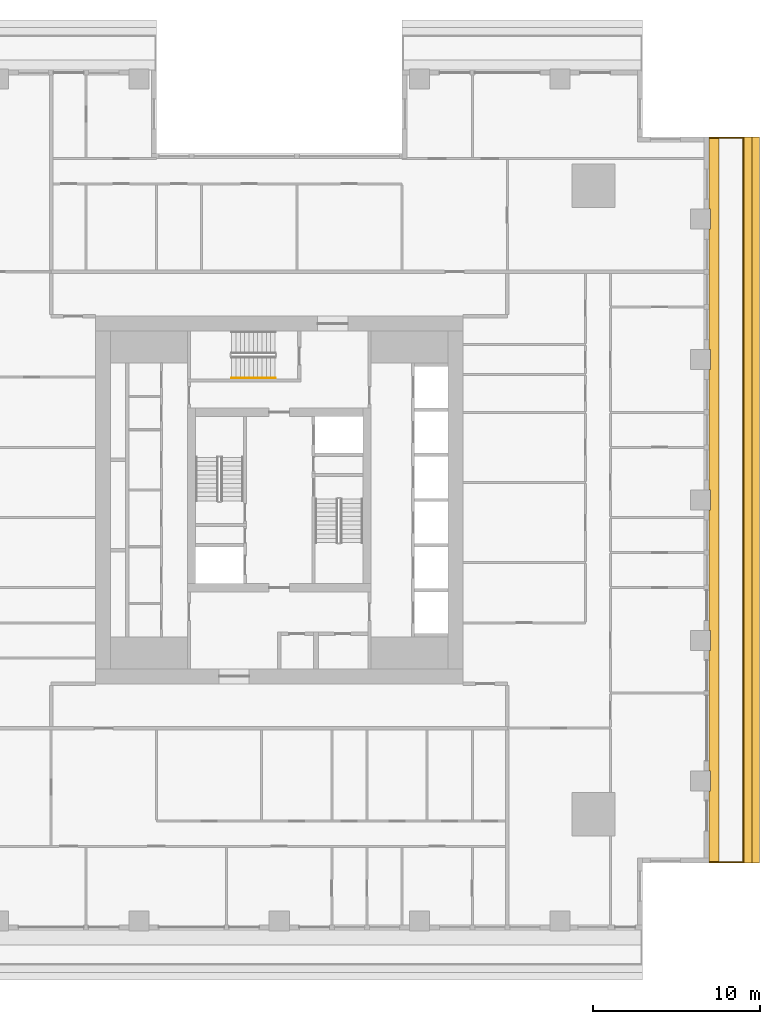
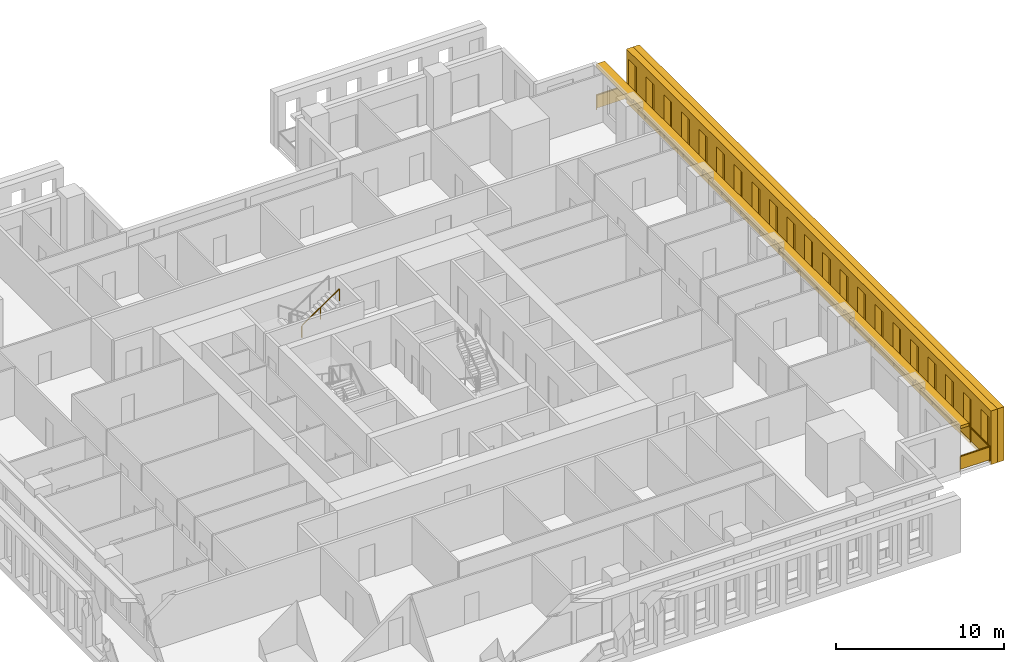
# One storey, part 14 of 16: 3 shading devices, 2 railings.
"""IFC4 building model written with IfcOpenShell, lengths in metres."""

import ifcopenshell
import ifcopenshell.guid

model = None  # the IFC model being written
_history = None  # IfcOwnerHistory: only IFC2X3 demands one
_inside = {}  # id of a spatial element -> (the spatial element, [elements in it])
_under = {}  # id of a project, library or spatial element -> (it, [spatial elements below it])
_declared = {}  # id of a project -> (the project, [libraries it declares])
_typed = {}  # id of a type object -> (the type object, [elements of that type])
_made_of = {}  # id of a material, layer set ... -> (it, [elements and type objects made of it])


def new_model(schema):
    """Start an empty IFC model of exactly this schema.

    Asked for "IFC4X3", IfcOpenShell would pick the latest addendum, in which some entities
    have other attributes; the version numbers below select the first issue.
    IFC2X3 requires an IfcOwnerHistory on every rooted entity: one is made here for all.
    """
    global model, _history
    if schema == "IFC4X3":
        model = ifcopenshell.file(schema_version=(4, 3, 0, 0))
    else:
        model = ifcopenshell.file(schema=schema)
    _inside.clear()
    _under.clear()
    _declared.clear()
    _typed.clear()
    _made_of.clear()
    _history = None
    if model.schema == "IFC2X3":
        org = make("IfcOrganization", Name="unknown")
        user = make(
            "IfcPersonAndOrganization",
            ThePerson=make("IfcPerson", FamilyName="unknown"),
            TheOrganization=org,
        )
        app = make(
            "IfcApplication",
            ApplicationDeveloper=org,
            Version="unknown",
            ApplicationFullName="unknown",
            ApplicationIdentifier="unknown",
        )
        _history = make(
            "IfcOwnerHistory",
            OwningUser=user,
            OwningApplication=app,
            ChangeAction="ADDED",
            CreationDate=0,
        )
    return model


def make(cls, **values):
    """One entity of the class cls with the attributes given. An attribute that is None is left unset."""
    return model.create_entity(
        cls, **{name: value for name, value in values.items() if value is not None}
    )


def rooted(cls, **values):
    """An entity with a GlobalId (a new one), such as an element, a storey or a relation."""
    return make(cls, GlobalId=ifcopenshell.guid.new(), OwnerHistory=_history, **values)


def si_unit(unit_type, name, prefix=None):
    """IfcSIUnit, for example si_unit("LENGTHUNIT", "METRE", prefix="MILLI")."""
    return make("IfcSIUnit", UnitType=unit_type, Prefix=prefix, Name=name)


def assignment(units):
    """IfcUnitAssignment: the units of a project."""
    return None if units is None else make("IfcUnitAssignment", Units=units)


def point(xyz):
    """IfcCartesianPoint."""
    return None if xyz is None else make("IfcCartesianPoint", Coordinates=xyz)


def direction(xyz):
    """IfcDirection."""
    return None if xyz is None else make("IfcDirection", DirectionRatios=xyz)


def frame(location, z_axis=None, x_axis=None):
    """IfcAxis2Placement3D, a coordinate frame: its origin and axes. An axis left out is left unset."""
    return make(
        "IfcAxis2Placement3D",
        Location=point(location),
        Axis=direction(z_axis),
        RefDirection=direction(x_axis),
    )


def frame_2d(location, x_axis=None):
    """IfcAxis2Placement2D, a coordinate frame in the plane: its origin and x axis."""
    return make(
        "IfcAxis2Placement2D", Location=point(location), RefDirection=direction(x_axis)
    )


def origin():
    """The frame at (0, 0, 0) with its axes left unset."""
    return frame((0.0, 0.0, 0.0))


def origin_2d():
    """The frame at (0, 0) in the plane with its x axis left unset."""
    return frame_2d((0.0, 0.0))


def place(relative_to, where):
    """IfcLocalPlacement: puts the frame where relative to a parent placement (None: the world)."""
    return make(
        "IfcLocalPlacement", PlacementRelTo=relative_to, RelativePlacement=where
    )


def context(
    kind, dimensions, precision=None, world=None, true_north=None, identifier=None
):
    """IfcGeometricRepresentationContext, for example the 3D "Model" context."""
    return make(
        "IfcGeometricRepresentationContext",
        ContextIdentifier=identifier,
        ContextType=kind,
        CoordinateSpaceDimension=dimensions,
        Precision=precision,
        WorldCoordinateSystem=world,
        TrueNorth=true_north,
    )


def subcontext(parent, identifier, kind, view, scale=None):
    """IfcGeometricRepresentationSubContext, for example "Body" below "Model"."""
    return make(
        "IfcGeometricRepresentationSubContext",
        ContextIdentifier=identifier,
        ContextType=kind,
        ParentContext=parent,
        TargetScale=scale,
        TargetView=view,
    )


def project(units=None, contexts=None):
    """IfcProject with its units and contexts."""
    return rooted(
        "IfcProject",
        Name="project",
        RepresentationContexts=contexts,
        UnitsInContext=assignment(units),
    )


def spatial(cls, under=None, at=None, **own):
    """A site, building, storey or space (cls), placed at a placement, below another one or the project."""
    s = rooted(cls, ObjectPlacement=at, **own)
    if under is not None:
        _under.setdefault(under.id(), (under, []))[1].append(s)
    return s


def polyline(points):
    """IfcPolyline through the points."""
    return make("IfcPolyline", Points=[point(p) for p in points])


def profile(cls, at=None, kind="AREA", **sizes):
    """A parametric profile (cls). Its sizes go by their IFC names, for example OverallWidth=200.0."""
    return make(cls, ProfileType=kind, Position=at, **sizes)


def rectangle(**sizes):
    """IfcRectangleProfileDef."""
    return profile("IfcRectangleProfileDef", **sizes)


def outline(outer, holes=None, kind="AREA"):
    """IfcArbitraryClosedProfileDef: a profile drawn as a closed curve; with holes, ...WithVoids."""
    if holes is None:
        return make("IfcArbitraryClosedProfileDef", ProfileType=kind, OuterCurve=outer)
    return make(
        "IfcArbitraryProfileDefWithVoids",
        ProfileType=kind,
        OuterCurve=outer,
        InnerCurves=holes,
    )


def extrude(swept, where, along, depth):
    """IfcExtrudedAreaSolid: the profile swept, set in the frame where, extruded along a direction by depth."""
    return make(
        "IfcExtrudedAreaSolid",
        SweptArea=swept,
        Position=where,
        ExtrudedDirection=direction(along),
        Depth=depth,
    )


def shape(context_of_items, identifier, shape_type, items):
    """IfcShapeRepresentation: the items that make up one representation, for example the "Body"."""
    return make(
        "IfcShapeRepresentation",
        ContextOfItems=context_of_items,
        RepresentationIdentifier=identifier,
        RepresentationType=shape_type,
        Items=items,
    )


def material(Name=None, Category=None):
    """IfcMaterial."""
    return make("IfcMaterial", Name=Name, Category=Category)


def layer(
    of_material, thickness, ventilated=None, Name=None, Category=None, Priority=None
):
    """IfcMaterialLayer: one layer of a wall or slab, of a material (None: an air gap)."""
    return make(
        "IfcMaterialLayer",
        Material=of_material,
        LayerThickness=thickness,
        IsVentilated=ventilated,
        Name=Name,
        Category=Category,
        Priority=Priority,
    )


def layer_set(layers, Name=None):
    """IfcMaterialLayerSet."""
    return make("IfcMaterialLayerSet", MaterialLayers=layers, LayerSetName=Name)


def made_of(thing, what):
    """Note that an element or type object is made of a material, layer set ...; save() writes the relation."""
    if what is not None:
        _made_of.setdefault(what.id(), (what, []))[1].append(thing)
    return thing


def type_object(cls, material=None, **own):
    """A type object (cls), such as IfcWallType, which elements share."""
    return made_of(rooted(cls, **own), material)


def element(
    cls,
    number,
    at=None,
    inside=None,
    cuts=None,
    type_object=None,
    material=None,
    context=None,
    identifier="Body",
    shape_type=None,
    held_by="IfcProductDefinitionShape",
    body=None,
    shapes=None,
    **own,
):
    """One element of the class cls, such as IfcWall. Its Tag is "e" and its number.

    at: its placement. inside: the storey or other place that contains it. cuts: it is an
    opening in that element (IfcRelVoidsElement). A single representation is given by context,
    identifier, shape_type and body (its items); several are given by shapes. held_by: the class
    of the entity that holds the representations. save() writes the other relations.
    """
    e = rooted(cls, Tag="e%d" % number, ObjectPlacement=at, **own)
    if body is not None:
        shapes = [shape(context, identifier, shape_type, body)]
    if shapes is not None:
        e.Representation = make(held_by, Representations=shapes)
    if inside is not None:
        _inside.setdefault(inside.id(), (inside, []))[1].append(e)
    if cuts is not None:
        rooted(
            "IfcRelVoidsElement", RelatingBuildingElement=cuts, RelatedOpeningElement=e
        )
    if type_object is not None:
        _typed.setdefault(type_object.id(), (type_object, []))[1].append(e)
    return made_of(e, material)


def aggregate(whole, parts):
    """IfcRelAggregates: a whole, such as a stair, and the parts it consists of."""
    return rooted("IfcRelAggregates", RelatingObject=whole, RelatedObjects=parts)


def save(model, path):
    """Write the relations noted so far, then the file.

    IfcRelAggregates (storeys below a building ...), IfcRelContainedInSpatialStructure (elements
    in a storey), IfcRelDefinesByType, IfcRelAssociatesMaterial and IfcRelDeclares: one each for
    every whole, place, type object, material and project.
    """
    for whole, parts in _under.values():
        aggregate(whole, parts)
    for where, things in _inside.values():
        rooted(
            "IfcRelContainedInSpatialStructure",
            RelatedElements=things,
            RelatingStructure=where,
        )
    for kind, things in _typed.values():
        rooted("IfcRelDefinesByType", RelatedObjects=things, RelatingType=kind)
    for what, things in _made_of.values():
        rooted("IfcRelAssociatesMaterial", RelatedObjects=things, RelatingMaterial=what)
    for by, libraries in _declared.values():
        rooted("IfcRelDeclares", RelatingContext=by, RelatedDefinitions=libraries)
    model.write(path)


model = new_model("IFC4")

# Units and contexts
model_context = context("Model", 3, precision=1e-05, world=origin(), true_north=direction((0.0, 1.0)))
body_context = subcontext(model_context, "Body", "Model", "MODEL_VIEW")
ifc_project = project(units=[si_unit("LENGTHUNIT", "METRE"), si_unit("AREAUNIT", "SQUARE_METRE"), si_unit("VOLUMEUNIT", "CUBIC_METRE"), si_unit("PLANEANGLEUNIT", "RADIAN"), si_unit("MASSUNIT", "GRAM", prefix="KILO")], contexts=[model_context])

# Site, building, storey
site_placement = place(None, origin())
site = spatial("IfcSite", under=ifc_project, at=site_placement, CompositionType="ELEMENT")
building_placement = place(site_placement, origin())
building = spatial("IfcBuilding", under=site, at=building_placement, Name="Khepri Terraces", CompositionType="ELEMENT")
storey_placement = place(building_placement, frame((0.0, 0.0, 153.300048828125)))
storey = spatial("IfcBuildingStorey", under=building, at=storey_placement, Name="L36", CompositionType="ELEMENT", Elevation=153.300048828125)

# Railings
ifc_material_1 = material(Name="Stainless steel grade 316", Category="steel")
railing_type_1 = type_object("IfcRailingType", Name="GRD-BAL-1100", PredefinedType="GUARDRAIL", material=ifc_material_1)
railing_1_placement = place(storey_placement, frame((25.719970703125, -21.669921875, 0.0)))
element("IfcRailing", 1, at=railing_1_placement, inside=storey, type_object=railing_type_1, Name="Balcony guard L36 E", PredefinedType="GUARDRAIL", context=body_context, shape_type="SweptSolid", body=[
    extrude(rectangle(XDim=0.050048828125, YDim=0.06005859375, at=origin_2d()), frame((0.0, 0.0, 1.070068359375), z_axis=(1.0, 0.0, 0.0), x_axis=(0.0, 1.0, 0.0)), (0.0, 0.0, 1.0), 2.050048828125),
    extrude(rectangle(XDim=2.0, YDim=0.011962890625, at=origin_2d()), frame((1.02490234375, 0.0, 0.10009765625), z_axis=(0.0, 0.0, 1.0), x_axis=(1.0, 0.0, 0.0)), (0.0, 0.0, 1.0), 0.93994140625),
    extrude(rectangle(XDim=0.050048828125, YDim=0.06005859375, at=origin_2d()), frame((2.050048828125, 0.0, 1.070068359375), z_axis=(0.0, 1.0, 0.0), x_axis=(-1.0, 0.0, 0.0)), (0.0, 0.0, 1.0), 43.33984375),
    extrude(rectangle(XDim=2.23095703125, YDim=0.011962890625, at=origin_2d()), frame((2.050048828125, 1.140625, 0.10009765625), z_axis=(0.0, 0.0, 1.0), x_axis=(0.0, 1.0, 0.0)), (0.0, 0.0, 1.0), 0.93994140625),
    extrude(rectangle(XDim=2.23095703125, YDim=0.011962890625, at=origin_2d()), frame((2.050048828125, 3.421630859375, 0.10009765625), z_axis=(0.0, 0.0, 1.0), x_axis=(0.0, 1.0, 0.0)), (0.0, 0.0, 1.0), 0.93994140625),
    extrude(rectangle(XDim=2.23095703125, YDim=0.011962890625, at=origin_2d()), frame((2.050048828125, 5.70263671875, 0.10009765625), z_axis=(0.0, 0.0, 1.0), x_axis=(0.0, 1.0, 0.0)), (0.0, 0.0, 1.0), 0.93994140625),
    extrude(rectangle(XDim=2.23095703125, YDim=0.011962890625, at=origin_2d()), frame((2.050048828125, 7.983642578125, 0.10009765625), z_axis=(0.0, 0.0, 1.0), x_axis=(0.0, 1.0, 0.0)), (0.0, 0.0, 1.0), 0.93994140625),
    extrude(rectangle(XDim=2.23095703125, YDim=0.011962890625, at=origin_2d()), frame((2.050048828125, 10.2646484375, 0.10009765625), z_axis=(0.0, 0.0, 1.0), x_axis=(0.0, 1.0, 0.0)), (0.0, 0.0, 1.0), 0.93994140625),
    extrude(rectangle(XDim=2.23095703125, YDim=0.011962890625, at=origin_2d()), frame((2.050048828125, 12.545654296875, 0.10009765625), z_axis=(0.0, 0.0, 1.0), x_axis=(0.0, 1.0, 0.0)), (0.0, 0.0, 1.0), 0.93994140625),
    extrude(rectangle(XDim=2.23095703125, YDim=0.011962890625, at=origin_2d()), frame((2.050048828125, 14.826904296875, 0.10009765625), z_axis=(0.0, 0.0, 1.0), x_axis=(0.0, 1.0, 0.0)), (0.0, 0.0, 1.0), 0.93994140625),
    extrude(rectangle(XDim=2.23095703125, YDim=0.011962890625, at=origin_2d()), frame((2.050048828125, 17.10791015625, 0.10009765625), z_axis=(0.0, 0.0, 1.0), x_axis=(0.0, 1.0, 0.0)), (0.0, 0.0, 1.0), 0.93994140625),
    extrude(rectangle(XDim=2.23095703125, YDim=0.011962890625, at=origin_2d()), frame((2.050048828125, 19.388916015625, 0.10009765625), z_axis=(0.0, 0.0, 1.0), x_axis=(0.0, 1.0, 0.0)), (0.0, 0.0, 1.0), 0.93994140625),
    extrude(rectangle(XDim=2.23095703125, YDim=0.011962890625, at=origin_2d()), frame((2.050048828125, 21.669921875, 0.10009765625), z_axis=(0.0, 0.0, 1.0), x_axis=(0.0, 1.0, 0.0)), (0.0, 0.0, 1.0), 0.93994140625),
    extrude(rectangle(XDim=2.23095703125, YDim=0.011962890625, at=origin_2d()), frame((2.050048828125, 23.950927734375, 0.10009765625), z_axis=(0.0, 0.0, 1.0), x_axis=(0.0, 1.0, 0.0)), (0.0, 0.0, 1.0), 0.93994140625),
    extrude(rectangle(XDim=2.23095703125, YDim=0.011962890625, at=origin_2d()), frame((2.050048828125, 26.23193359375, 0.10009765625), z_axis=(0.0, 0.0, 1.0), x_axis=(0.0, 1.0, 0.0)), (0.0, 0.0, 1.0), 0.93994140625),
    extrude(rectangle(XDim=2.23095703125, YDim=0.011962890625, at=origin_2d()), frame((2.050048828125, 28.512939453125, 0.10009765625), z_axis=(0.0, 0.0, 1.0), x_axis=(0.0, 1.0, 0.0)), (0.0, 0.0, 1.0), 0.93994140625),
    extrude(rectangle(XDim=2.23095703125, YDim=0.011962890625, at=origin_2d()), frame((2.050048828125, 30.794189453125, 0.10009765625), z_axis=(0.0, 0.0, 1.0), x_axis=(0.0, 1.0, 0.0)), (0.0, 0.0, 1.0), 0.93994140625),
    extrude(rectangle(XDim=2.23095703125, YDim=0.011962890625, at=origin_2d()), frame((2.050048828125, 33.0751953125, 0.10009765625), z_axis=(0.0, 0.0, 1.0), x_axis=(0.0, 1.0, 0.0)), (0.0, 0.0, 1.0), 0.93994140625),
    extrude(rectangle(XDim=2.23095703125, YDim=0.011962890625, at=origin_2d()), frame((2.050048828125, 35.356201171875, 0.10009765625), z_axis=(0.0, 0.0, 1.0), x_axis=(0.0, 1.0, 0.0)), (0.0, 0.0, 1.0), 0.93994140625),
    extrude(rectangle(XDim=2.23095703125, YDim=0.011962890625, at=origin_2d()), frame((2.050048828125, 37.63720703125, 0.10009765625), z_axis=(0.0, 0.0, 1.0), x_axis=(0.0, 1.0, 0.0)), (0.0, 0.0, 1.0), 0.93994140625),
    extrude(rectangle(XDim=2.23095703125, YDim=0.011962890625, at=origin_2d()), frame((2.050048828125, 39.918212890625, 0.10009765625), z_axis=(0.0, 0.0, 1.0), x_axis=(0.0, 1.0, 0.0)), (0.0, 0.0, 1.0), 0.93994140625),
    extrude(rectangle(XDim=2.23095703125, YDim=0.011962890625, at=origin_2d()), frame((2.050048828125, 42.19921875, 0.10009765625), z_axis=(0.0, 0.0, 1.0), x_axis=(0.0, 1.0, 0.0)), (0.0, 0.0, 1.0), 0.93994140625),
    extrude(rectangle(XDim=0.050048828125, YDim=0.06005859375, at=origin_2d()), frame((2.050048828125, 43.33984375, 1.070068359375), z_axis=(-1.0, 0.0, 0.0), x_axis=(0.0, -1.0, 0.0)), (0.0, 0.0, 1.0), 2.050048828125),
    extrude(rectangle(XDim=2.0, YDim=0.011962890625, at=origin_2d()), frame((1.02490234375, 43.33984375, 0.10009765625), z_axis=(0.0, 0.0, 1.0), x_axis=(-1.0, 0.0, 0.0)), (0.0, 0.0, 1.0), 0.93994140625),
    extrude(rectangle(XDim=0.050048828125, YDim=0.050048828125, at=origin_2d()), origin(), (0.0, 0.0, 1.0), 1.0400390625),
    extrude(rectangle(XDim=0.050048828125, YDim=0.050048828125, at=origin_2d()), frame((2.050048828125, 0.0, 0.0)), (0.0, 0.0, 1.0), 1.0400390625),
    extrude(rectangle(XDim=0.050048828125, YDim=0.050048828125, at=origin_2d()), frame((2.050048828125, 2.281005859375, 0.0)), (0.0, 0.0, 1.0), 1.0400390625),
    extrude(rectangle(XDim=0.050048828125, YDim=0.050048828125, at=origin_2d()), frame((2.050048828125, 4.56201171875, 0.0)), (0.0, 0.0, 1.0), 1.0400390625),
    extrude(rectangle(XDim=0.050048828125, YDim=0.050048828125, at=origin_2d()), frame((2.050048828125, 6.843017578125, 0.0)), (0.0, 0.0, 1.0), 1.0400390625),
    extrude(rectangle(XDim=0.050048828125, YDim=0.050048828125, at=origin_2d()), frame((2.050048828125, 9.124267578125, 0.0)), (0.0, 0.0, 1.0), 1.0400390625),
    extrude(rectangle(XDim=0.050048828125, YDim=0.050048828125, at=origin_2d()), frame((2.050048828125, 11.4052734375, 0.0)), (0.0, 0.0, 1.0), 1.0400390625),
    extrude(rectangle(XDim=0.050048828125, YDim=0.050048828125, at=origin_2d()), frame((2.050048828125, 13.686279296875, 0.0)), (0.0, 0.0, 1.0), 1.0400390625),
    extrude(rectangle(XDim=0.050048828125, YDim=0.050048828125, at=origin_2d()), frame((2.050048828125, 15.96728515625, 0.0)), (0.0, 0.0, 1.0), 1.0400390625),
    extrude(rectangle(XDim=0.050048828125, YDim=0.050048828125, at=origin_2d()), frame((2.050048828125, 18.248291015625, 0.0)), (0.0, 0.0, 1.0), 1.0400390625),
    extrude(rectangle(XDim=0.050048828125, YDim=0.050048828125, at=origin_2d()), frame((2.050048828125, 20.529296875, 0.0)), (0.0, 0.0, 1.0), 1.0400390625),
    extrude(rectangle(XDim=0.050048828125, YDim=0.050048828125, at=origin_2d()), frame((2.050048828125, 22.810546875, 0.0)), (0.0, 0.0, 1.0), 1.0400390625),
    extrude(rectangle(XDim=0.050048828125, YDim=0.050048828125, at=origin_2d()), frame((2.050048828125, 25.091552734375, 0.0)), (0.0, 0.0, 1.0), 1.0400390625),
    extrude(rectangle(XDim=0.050048828125, YDim=0.050048828125, at=origin_2d()), frame((2.050048828125, 27.37255859375, 0.0)), (0.0, 0.0, 1.0), 1.0400390625),
    extrude(rectangle(XDim=0.050048828125, YDim=0.050048828125, at=origin_2d()), frame((2.050048828125, 29.653564453125, 0.0)), (0.0, 0.0, 1.0), 1.0400390625),
    extrude(rectangle(XDim=0.050048828125, YDim=0.050048828125, at=origin_2d()), frame((2.050048828125, 31.9345703125, 0.0)), (0.0, 0.0, 1.0), 1.0400390625),
    extrude(rectangle(XDim=0.050048828125, YDim=0.050048828125, at=origin_2d()), frame((2.050048828125, 34.215576171875, 0.0)), (0.0, 0.0, 1.0), 1.0400390625),
    extrude(rectangle(XDim=0.050048828125, YDim=0.050048828125, at=origin_2d()), frame((2.050048828125, 36.496826171875, 0.0)), (0.0, 0.0, 1.0), 1.0400390625),
    extrude(rectangle(XDim=0.050048828125, YDim=0.050048828125, at=origin_2d()), frame((2.050048828125, 38.77783203125, 0.0)), (0.0, 0.0, 1.0), 1.0400390625),
    extrude(rectangle(XDim=0.050048828125, YDim=0.050048828125, at=origin_2d()), frame((2.050048828125, 41.058837890625, 0.0)), (0.0, 0.0, 1.0), 1.0400390625),
    extrude(rectangle(XDim=0.050048828125, YDim=0.050048828125, at=origin_2d()), frame((2.050048828125, 43.33984375, 0.0)), (0.0, 0.0, 1.0), 1.0400390625),
    extrude(rectangle(XDim=0.050048828125, YDim=0.050048828125, at=origin_2d()), frame((0.0, 43.33984375, 0.0)), (0.0, 0.0, 1.0), 1.0400390625),
])
ifc_material_2 = material(Name="Stainless steel 316", Category="steel")
railing_type_2 = type_object("IfcRailingType", Name="RL-CORE-HANDRAIL", PredefinedType="HANDRAIL", material=ifc_material_2)
railing_2_placement = place(storey_placement, frame((-2.85009765625, 7.300048828125, 2.127197265625)))
element("IfcRailing", 2, at=railing_2_placement, inside=storey, type_object=railing_type_2, Name="L36 ST-3 stair handrail 2", PredefinedType="HANDRAIL", context=body_context, shape_type="SweptSolid", body=[
    extrude(rectangle(XDim=0.050048828125, YDim=0.050048828125, at=origin_2d()), frame((0.0, 0.0, 0.875), z_axis=(0.826240473404, 0.0, 0.563317565952), x_axis=(0.0, 1.0, 0.0)), (0.0, 0.0, 1.0), 3.14697265625),
    extrude(rectangle(XDim=0.050048828125, YDim=0.050048828125, at=origin_2d()), origin(), (0.0, 0.0, 1.0), 0.849853515625),
    extrude(rectangle(XDim=0.050048828125, YDim=0.050048828125, at=origin_2d()), frame((1.300048828125, 0.0, 0.88623046875)), (0.0, 0.0, 1.0), 0.849853515625),
    extrude(rectangle(XDim=0.050048828125, YDim=0.050048828125, at=origin_2d()), frame((2.60009765625, 0.0, 1.772705078125)), (0.0, 0.0, 1.0), 0.849853515625),
])

# Shading devices
ifc_material_3 = material(Name="Precast concrete C50/60 warm stone", Category="masonry")
shading_device_type_1 = type_object("IfcShadingDeviceType", Name="SCR-CELL-INNER-450", PredefinedType="USERDEFINED", material=ifc_material_3)
shading_device_1_placement = place(storey_placement, frame((27.820068359375, -21.719970703125, -0.25), z_axis=(1.0, 0.0, 0.0), x_axis=(0.0, 1.0, 0.0)))
element("IfcShadingDevice", 3, at=shading_device_1_placement, inside=storey, type_object=shading_device_type_1, Name="Cell screen L36 E in", ObjectType="SCREEN", PredefinedType="USERDEFINED", context=body_context, shape_type="SweptSolid", body=[
    extrude(outline(polyline([(0.0, 0.0), (43.43994140625, 0.0), (43.43994140625, 3.89990234375), (0.0, 3.89990234375), (0.0, 0.0)]), holes=[polyline([(0.24755859375, 0.699951171875), (1.1923828125, 0.699951171875), (1.1923828125, 3.300048828125), (0.24755859375, 3.300048828125), (0.24755859375, 0.699951171875)]), polyline([(2.347412109375, 0.699951171875), (3.29248046875, 0.699951171875), (3.29248046875, 3.300048828125), (2.347412109375, 3.300048828125), (2.347412109375, 0.699951171875)]), polyline([(4.447509765625, 0.699951171875), (5.392578125, 0.699951171875), (5.392578125, 3.300048828125), (4.447509765625, 3.300048828125), (4.447509765625, 0.699951171875)]), polyline([(6.547607421875, 0.699951171875), (7.492431640625, 0.699951171875), (7.492431640625, 3.300048828125), (6.547607421875, 3.300048828125), (6.547607421875, 0.699951171875)]), polyline([(8.6474609375, 0.699951171875), (9.592529296875, 0.699951171875), (9.592529296875, 3.300048828125), (8.6474609375, 3.300048828125), (8.6474609375, 0.699951171875)]), polyline([(10.74755859375, 0.699951171875), (11.6923828125, 0.699951171875), (11.6923828125, 3.300048828125), (10.74755859375, 3.300048828125), (10.74755859375, 0.699951171875)]), polyline([(12.847412109375, 0.699951171875), (13.79248046875, 0.699951171875), (13.79248046875, 3.300048828125), (12.847412109375, 3.300048828125), (12.847412109375, 0.699951171875)]), polyline([(14.947509765625, 0.699951171875), (15.892578125, 0.699951171875), (15.892578125, 3.300048828125), (14.947509765625, 3.300048828125), (14.947509765625, 0.699951171875)]), polyline([(17.047607421875, 0.699951171875), (17.992431640625, 0.699951171875), (17.992431640625, 3.300048828125), (17.047607421875, 3.300048828125), (17.047607421875, 0.699951171875)]), polyline([(19.1474609375, 0.699951171875), (20.092529296875, 0.699951171875), (20.092529296875, 3.300048828125), (19.1474609375, 3.300048828125), (19.1474609375, 0.699951171875)]), polyline([(21.24755859375, 0.699951171875), (22.1923828125, 0.699951171875), (22.1923828125, 3.300048828125), (21.24755859375, 3.300048828125), (21.24755859375, 0.699951171875)]), polyline([(23.347412109375, 0.699951171875), (24.29248046875, 0.699951171875), (24.29248046875, 3.300048828125), (23.347412109375, 3.300048828125), (23.347412109375, 0.699951171875)]), polyline([(25.447509765625, 0.699951171875), (26.392578125, 0.699951171875), (26.392578125, 3.300048828125), (25.447509765625, 3.300048828125), (25.447509765625, 0.699951171875)]), polyline([(27.547607421875, 0.699951171875), (28.492431640625, 0.699951171875), (28.492431640625, 3.300048828125), (27.547607421875, 3.300048828125), (27.547607421875, 0.699951171875)]), polyline([(29.6474609375, 0.699951171875), (30.592529296875, 0.699951171875), (30.592529296875, 3.300048828125), (29.6474609375, 3.300048828125), (29.6474609375, 0.699951171875)]), polyline([(31.74755859375, 0.699951171875), (32.6923828125, 0.699951171875), (32.6923828125, 3.300048828125), (31.74755859375, 3.300048828125), (31.74755859375, 0.699951171875)]), polyline([(33.847412109375, 0.699951171875), (34.79248046875, 0.699951171875), (34.79248046875, 3.300048828125), (33.847412109375, 3.300048828125), (33.847412109375, 0.699951171875)]), polyline([(35.947509765625, 0.699951171875), (36.892578125, 0.699951171875), (36.892578125, 3.300048828125), (35.947509765625, 3.300048828125), (35.947509765625, 0.699951171875)]), polyline([(38.047607421875, 0.699951171875), (38.992431640625, 0.699951171875), (38.992431640625, 3.300048828125), (38.047607421875, 3.300048828125), (38.047607421875, 0.699951171875)]), polyline([(40.1474609375, 0.699951171875), (41.092529296875, 0.699951171875), (41.092529296875, 3.300048828125), (40.1474609375, 3.300048828125), (40.1474609375, 0.699951171875)]), polyline([(42.24755859375, 0.699951171875), (43.1923828125, 0.699951171875), (43.1923828125, 3.300048828125), (42.24755859375, 3.300048828125), (42.24755859375, 0.699951171875)])]), origin(), (0.0, 0.0, 1.0), 0.449951171875),
])
shading_device_type_2 = type_object("IfcShadingDeviceType", Name="SCR-CELL-OUTER-450", PredefinedType="USERDEFINED", material=ifc_material_3)
shading_device_2_placement = place(storey_placement, frame((28.27001953125, -21.719970703125, -0.25), z_axis=(1.0, 0.0, 0.0), x_axis=(0.0, 1.0, 0.0)))
element("IfcShadingDevice", 4, at=shading_device_2_placement, inside=storey, type_object=shading_device_type_2, Name="Cell screen L36 E out", ObjectType="SCREEN", PredefinedType="USERDEFINED", context=body_context, shape_type="SweptSolid", body=[
    extrude(outline(polyline([(0.0, 0.0), (43.43994140625, 0.0), (43.43994140625, 3.89990234375), (0.0, 3.89990234375), (0.0, 0.0)]), holes=[polyline([(1.99755859375, 0.449951171875), (3.642578125, 0.449951171875), (3.642578125, 3.550048828125), (1.99755859375, 3.550048828125), (1.99755859375, 0.449951171875)]), polyline([(4.097412109375, 0.449951171875), (5.742431640625, 0.449951171875), (5.742431640625, 3.550048828125), (4.097412109375, 3.550048828125), (4.097412109375, 0.449951171875)]), polyline([(6.197509765625, 0.449951171875), (7.842529296875, 0.449951171875), (7.842529296875, 3.550048828125), (6.197509765625, 3.550048828125), (6.197509765625, 0.449951171875)]), polyline([(8.297607421875, 0.449951171875), (9.9423828125, 0.449951171875), (9.9423828125, 3.550048828125), (8.297607421875, 3.550048828125), (8.297607421875, 0.449951171875)]), polyline([(10.3974609375, 0.449951171875), (12.04248046875, 0.449951171875), (12.04248046875, 3.550048828125), (10.3974609375, 3.550048828125), (10.3974609375, 0.449951171875)]), polyline([(12.49755859375, 0.449951171875), (14.142578125, 0.449951171875), (14.142578125, 3.550048828125), (12.49755859375, 3.550048828125), (12.49755859375, 0.449951171875)]), polyline([(14.597412109375, 0.449951171875), (16.242431640625, 0.449951171875), (16.242431640625, 3.550048828125), (14.597412109375, 3.550048828125), (14.597412109375, 0.449951171875)]), polyline([(16.697509765625, 0.449951171875), (18.342529296875, 0.449951171875), (18.342529296875, 3.550048828125), (16.697509765625, 3.550048828125), (16.697509765625, 0.449951171875)]), polyline([(18.797607421875, 0.449951171875), (20.4423828125, 0.449951171875), (20.4423828125, 3.550048828125), (18.797607421875, 3.550048828125), (18.797607421875, 0.449951171875)]), polyline([(20.8974609375, 0.449951171875), (22.54248046875, 0.449951171875), (22.54248046875, 3.550048828125), (20.8974609375, 3.550048828125), (20.8974609375, 0.449951171875)]), polyline([(22.99755859375, 0.449951171875), (24.642578125, 0.449951171875), (24.642578125, 3.550048828125), (22.99755859375, 3.550048828125), (22.99755859375, 0.449951171875)]), polyline([(25.097412109375, 0.449951171875), (26.742431640625, 0.449951171875), (26.742431640625, 3.550048828125), (25.097412109375, 3.550048828125), (25.097412109375, 0.449951171875)]), polyline([(27.197509765625, 0.449951171875), (28.842529296875, 0.449951171875), (28.842529296875, 3.550048828125), (27.197509765625, 3.550048828125), (27.197509765625, 0.449951171875)]), polyline([(29.297607421875, 0.449951171875), (30.9423828125, 0.449951171875), (30.9423828125, 3.550048828125), (29.297607421875, 3.550048828125), (29.297607421875, 0.449951171875)]), polyline([(31.3974609375, 0.449951171875), (33.04248046875, 0.449951171875), (33.04248046875, 3.550048828125), (31.3974609375, 3.550048828125), (31.3974609375, 0.449951171875)]), polyline([(33.49755859375, 0.449951171875), (35.142578125, 0.449951171875), (35.142578125, 3.550048828125), (33.49755859375, 3.550048828125), (33.49755859375, 0.449951171875)]), polyline([(35.597412109375, 0.449951171875), (37.242431640625, 0.449951171875), (37.242431640625, 3.550048828125), (35.597412109375, 3.550048828125), (35.597412109375, 0.449951171875)]), polyline([(37.697509765625, 0.449951171875), (39.342529296875, 0.449951171875), (39.342529296875, 3.550048828125), (37.697509765625, 3.550048828125), (37.697509765625, 0.449951171875)]), polyline([(39.797607421875, 0.449951171875), (41.4423828125, 0.449951171875), (41.4423828125, 3.550048828125), (39.797607421875, 3.550048828125), (39.797607421875, 0.449951171875)])]), origin(), (0.0, 0.0, 1.0), 0.449951171875),
])
ifc_layer = layer(ifc_material_3, 0.199951171875, Name="Precast concrete C50/60 warm stone", Category="masonry")
ifc_layer_set = layer_set([ifc_layer], Name="Precast concrete C50/60 warm stone")
shading_device_type_3 = type_object("IfcShadingDeviceType", Name="SSH-BAND-STONE-200-N", PredefinedType="USERDEFINED", material=ifc_layer_set)
shading_device_3_placement = place(storey_placement, frame((0.0, 0.0, 3.099853515625)))
element("IfcShadingDevice", 5, at=shading_device_3_placement, inside=storey, type_object=shading_device_type_3, Name="Sunshade band L36 E", ObjectType="SUNSHADE", PredefinedType="USERDEFINED", context=body_context, shape_type="SweptSolid", body=[
    extrude(outline(polyline([(25.719970703125, -17.39990234375), (25.719970703125, -21.719970703125), (26.320068359375, -21.719970703125), (26.320068359375, 21.719970703125), (25.719970703125, 21.719970703125), (25.719970703125, 17.39990234375), (25.800048828125, 17.39990234375), (25.800048828125, 16.199951171875), (25.719970703125, 16.199951171875), (25.719970703125, 9.0), (25.800048828125, 9.0), (25.800048828125, 7.800048828125), (25.719970703125, 7.800048828125), (25.719970703125, 0.60009765625), (25.800048828125, 0.60009765625), (25.800048828125, -0.60009765625), (25.719970703125, -0.60009765625), (25.719970703125, -7.800048828125), (25.800048828125, -7.800048828125), (25.800048828125, -9.0), (25.719970703125, -9.0), (25.719970703125, -16.199951171875), (25.800048828125, -16.199951171875), (25.800048828125, -17.39990234375), (25.719970703125, -17.39990234375)])), origin(), (0.0, 0.0, 1.0), 0.2001953125),
])

save(model, "model.ifc")
